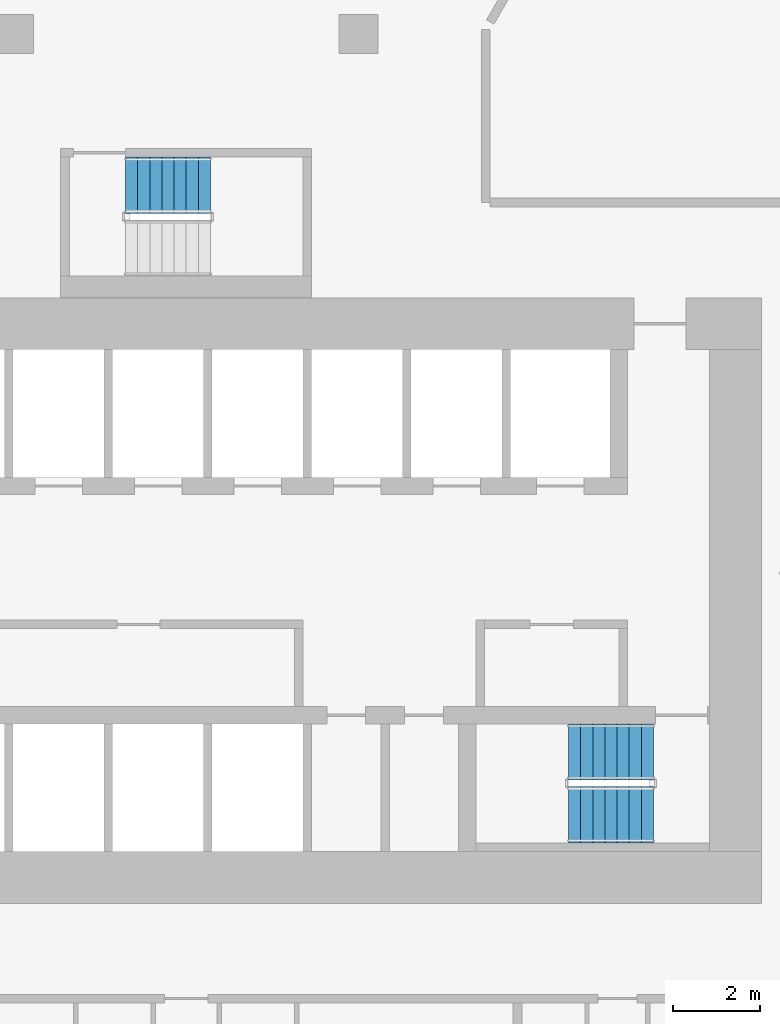
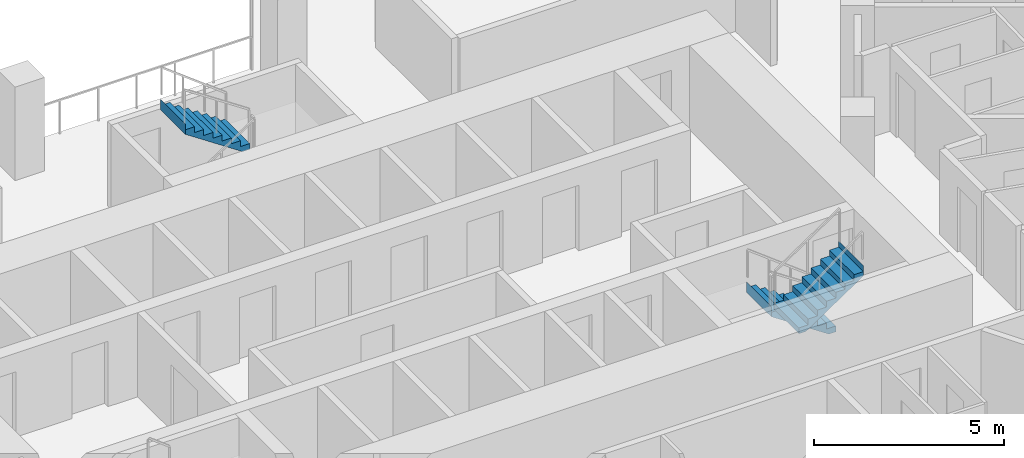
# One storey, part 17 of 21: 3 stair flights, 2 elements without a shape of their own.
"""IFC4 building model written with IfcOpenShell, lengths in metres."""

from ifc_helpers import new_model, si_unit, direction, frame, origin, place, context, subcontext, project, spatial, triangles, material, type_object, element, aggregate, save


model = new_model("IFC4")

# Units and contexts
model_context = context("Model", 3, precision=1e-05, world=origin(), true_north=direction((0.0, 1.0)))
body_context = subcontext(model_context, "Body", "Model", "MODEL_VIEW")
ifc_project = project(units=[si_unit("LENGTHUNIT", "METRE"), si_unit("AREAUNIT", "SQUARE_METRE"), si_unit("VOLUMEUNIT", "CUBIC_METRE"), si_unit("PLANEANGLEUNIT", "RADIAN"), si_unit("MASSUNIT", "GRAM", prefix="KILO")], contexts=[model_context])

# Site, building, storey
site_placement = place(None, origin())
site = spatial("IfcSite", under=ifc_project, at=site_placement, CompositionType="ELEMENT")
building_placement = place(site_placement, origin())
building = spatial("IfcBuilding", under=site, at=building_placement, Name="Beryl Residences", CompositionType="ELEMENT")
storey_placement = place(building_placement, frame((0.0, 0.0, 47.39990234375)))
storey = spatial("IfcBuildingStorey", under=building, at=storey_placement, Name="L14", CompositionType="ELEMENT", Elevation=47.39990234375)

# Stair, stair flights
ifc_material_1 = material(Name="Concrete C40/50", Category="concrete")
stair_type = type_object("IfcStairType", Name="ST1 protected exit stair, half-turn, 1300 mm flights", PredefinedType="HALF_TURN_STAIR", material=ifc_material_1)
stair_1_placement = place(storey_placement, origin())
stair_1 = element("IfcStair", 1, at=stair_1_placement, inside=storey, type_object=stair_type, Name="L14 PROTECTED EXIT STAIR ST-3", PredefinedType="HALF_TURN_STAIR")
ifc_material_2 = material(Name="Concrete C40/50", Category="concrete")
stair_flight_type = type_object("IfcStairFlightType", Name="SF1 stair flight 1300 mm", PredefinedType="STRAIGHT", material=ifc_material_2)
stair_flight_1_placement = place(storey_placement, frame((10.800048828125, -15.5, 0.0), z_axis=(0.0, 0.0, 1.0), x_axis=(-1.0, 0.0, 0.0)))
stair_flight_1 = element("IfcStairFlight", 2, at=stair_flight_1_placement, type_object=stair_flight_type, Name="ST-3 flight 1", NumberOfRisers=8, NumberOfTreads=7, PredefinedType="STRAIGHT", RiserHeight=0.1875, TreadLength=0.28, context=body_context, shape_type="Tessellation", body=[
    triangles([(0.0, -0.64990234375, 0.0), (0.0, -0.324951171875, 0.0), (0.0, 0.0, 0.0), (0.0, 0.324951171875, 0.0), (0.0, 0.64990234375, 0.0), (0.0, -0.64990234375, 0.1875), (0.0, -0.324951171875, 0.1875), (0.0, 0.0, 0.1875), (0.0, 0.324951171875, 0.1875), (0.0, 0.64990234375, 0.1875), (0.280029296875, -0.64990234375, 0.1875), (0.280029296875, -0.324951171875, 0.1875), (0.280029296875, 0.0, 0.1875), (0.280029296875, 0.324951171875, 0.1875), (0.280029296875, 0.64990234375, 0.1875), (0.280029296875, -0.64990234375, 0.375), (0.280029296875, -0.324951171875, 0.375), (0.280029296875, 0.0, 0.375), (0.280029296875, 0.324951171875, 0.375), (0.280029296875, 0.64990234375, 0.375), (0.56005859375, -0.64990234375, 0.375), (0.56005859375, -0.324951171875, 0.375), (0.56005859375, 0.0, 0.375), (0.56005859375, 0.324951171875, 0.375), (0.56005859375, 0.64990234375, 0.375), (0.56005859375, -0.64990234375, 0.5625), (0.56005859375, -0.324951171875, 0.5625), (0.56005859375, 0.0, 0.5625), (0.56005859375, 0.324951171875, 0.5625), (0.56005859375, 0.64990234375, 0.5625), (0.840087890625, -0.64990234375, 0.5625), (0.840087890625, -0.324951171875, 0.5625), (0.840087890625, 0.0, 0.5625), (0.840087890625, 0.324951171875, 0.5625), (0.840087890625, 0.64990234375, 0.5625), (0.840087890625, -0.64990234375, 0.75), (0.840087890625, -0.324951171875, 0.75), (0.840087890625, 0.0, 0.75), (0.840087890625, 0.324951171875, 0.75), (0.840087890625, 0.64990234375, 0.75), (1.1201171875, -0.64990234375, 0.75), (1.1201171875, -0.324951171875, 0.75), (1.1201171875, 0.0, 0.75), (1.1201171875, 0.324951171875, 0.75), (1.1201171875, 0.64990234375, 0.75), (1.1201171875, -0.64990234375, 0.9375), (1.1201171875, -0.324951171875, 0.9375), (1.1201171875, 0.0, 0.9375), (1.1201171875, 0.324951171875, 0.9375), (1.1201171875, 0.64990234375, 0.9375), (1.39990234375, -0.64990234375, 0.9375), (1.39990234375, -0.324951171875, 0.9375), (1.39990234375, 0.0, 0.9375), (1.39990234375, 0.324951171875, 0.9375), (1.39990234375, 0.64990234375, 0.9375), (1.39990234375, -0.64990234375, 1.125), (1.39990234375, -0.324951171875, 1.125), (1.39990234375, 0.0, 1.125), (1.39990234375, 0.324951171875, 1.125), (1.39990234375, 0.64990234375, 1.125), (1.679931640625, -0.64990234375, 1.125), (1.679931640625, -0.324951171875, 1.125), (1.679931640625, 0.0, 1.125), (1.679931640625, 0.324951171875, 1.125), (1.679931640625, 0.64990234375, 1.125), (1.679931640625, -0.64990234375, 1.3125), (1.679931640625, -0.324951171875, 1.3125), (1.679931640625, 0.0, 1.3125), (1.679931640625, 0.324951171875, 1.3125), (1.679931640625, 0.64990234375, 1.3125), (1.9599609375, -0.64990234375, 1.3125), (1.9599609375, -0.324951171875, 1.3125), (1.9599609375, 0.0, 1.3125), (1.9599609375, 0.324951171875, 1.3125), (1.9599609375, 0.64990234375, 1.3125), (1.9599609375, -0.64990234375, 1.5), (1.9599609375, -0.324951171875, 1.5), (1.9599609375, 0.0, 1.5), (1.9599609375, 0.324951171875, 1.5), (1.9599609375, 0.64990234375, 1.5), (1.9609375, -0.64990234375, 1.5), (1.9609375, -0.324951171875, 1.5), (1.9609375, 0.0, 1.5), (1.9609375, 0.324951171875, 1.5), (1.9609375, 0.64990234375, 1.5), (1.9609375, -0.64990234375, 1.16796875), (1.9609375, -0.324951171875, 1.16796875), (1.9609375, 0.0, 1.16796875), (1.9609375, 0.324951171875, 1.16796875), (1.9609375, 0.64990234375, 1.16796875), (0.216796875, -0.64990234375, 0.0), (0.216796875, -0.324951171875, 0.0), (0.216796875, 0.0, 0.0), (0.216796875, 0.324951171875, 0.0), (0.216796875, 0.64990234375, 0.0)], [[1, 6, 7], [1, 7, 2], [2, 7, 8], [2, 8, 3], [3, 8, 9], [3, 9, 4], [4, 9, 10], [4, 10, 5], [6, 11, 12], [6, 12, 7], [7, 12, 13], [7, 13, 8], [8, 13, 14], [8, 14, 9], [9, 14, 15], [9, 15, 10], [11, 16, 17], [11, 17, 12], [12, 17, 18], [12, 18, 13], [13, 18, 19], [13, 19, 14], [14, 19, 20], [14, 20, 15], [16, 21, 22], [16, 22, 17], [17, 22, 23], [17, 23, 18], [18, 23, 24], [18, 24, 19], [19, 24, 25], [19, 25, 20], [21, 26, 27], [21, 27, 22], [22, 27, 28], [22, 28, 23], [23, 28, 29], [23, 29, 24], [24, 29, 30], [24, 30, 25], [26, 31, 32], [26, 32, 27], [27, 32, 33], [27, 33, 28], [28, 33, 34], [28, 34, 29], [29, 34, 35], [29, 35, 30], [31, 36, 37], [31, 37, 32], [32, 37, 38], [32, 38, 33], [33, 38, 39], [33, 39, 34], [34, 39, 40], [34, 40, 35], [36, 41, 42], [36, 42, 37], [37, 42, 43], [37, 43, 38], [38, 43, 44], [38, 44, 39], [39, 44, 45], [39, 45, 40], [41, 46, 47], [41, 47, 42], [42, 47, 48], [42, 48, 43], [43, 48, 49], [43, 49, 44], [44, 49, 50], [44, 50, 45], [46, 51, 52], [46, 52, 47], [47, 52, 53], [47, 53, 48], [48, 53, 54], [48, 54, 49], [49, 54, 55], [49, 55, 50], [51, 56, 57], [51, 57, 52], [52, 57, 58], [52, 58, 53], [53, 58, 59], [53, 59, 54], [54, 59, 60], [54, 60, 55], [56, 61, 62], [56, 62, 57], [57, 62, 63], [57, 63, 58], [58, 63, 64], [58, 64, 59], [59, 64, 65], [59, 65, 60], [61, 66, 67], [61, 67, 62], [62, 67, 68], [62, 68, 63], [63, 68, 69], [63, 69, 64], [64, 69, 70], [64, 70, 65], [66, 71, 72], [66, 72, 67], [67, 72, 73], [67, 73, 68], [68, 73, 74], [68, 74, 69], [69, 74, 75], [69, 75, 70], [71, 76, 77], [71, 77, 72], [72, 77, 78], [72, 78, 73], [73, 78, 79], [73, 79, 74], [74, 79, 80], [74, 80, 75], [76, 81, 82], [76, 82, 77], [77, 82, 83], [77, 83, 78], [78, 83, 84], [78, 84, 79], [79, 84, 85], [79, 85, 80], [81, 86, 87], [81, 87, 82], [82, 87, 88], [82, 88, 83], [83, 88, 89], [83, 89, 84], [84, 89, 90], [84, 90, 85], [86, 91, 92], [86, 92, 87], [87, 92, 93], [87, 93, 88], [88, 93, 94], [88, 94, 89], [89, 94, 95], [89, 95, 90], [91, 1, 2], [91, 2, 92], [92, 2, 3], [92, 3, 93], [93, 3, 4], [93, 4, 94], [94, 4, 5], [94, 5, 95], [1, 91, 86], [5, 90, 95], [86, 81, 76], [90, 80, 85], [86, 76, 71], [90, 75, 80], [86, 71, 66], [90, 70, 75], [86, 66, 61], [90, 65, 70], [61, 56, 51], [65, 55, 60], [86, 61, 51], [90, 55, 65], [51, 46, 41], [55, 45, 50], [86, 51, 41], [90, 45, 55], [41, 36, 31], [45, 35, 40], [86, 41, 31], [90, 35, 45], [31, 26, 21], [35, 25, 30], [86, 31, 21], [90, 25, 35], [21, 16, 11], [25, 15, 20], [86, 21, 11], [90, 15, 25], [1, 86, 11], [5, 15, 90], [11, 6, 1], [15, 5, 10]], closed=True),
])
stair_flight_2_placement = place(storey_placement, frame((8.840087890625, -16.949951171875, 1.5), z_axis=(0.0, 0.0, 1.0), x_axis=(1.0, 0.0, 0.0)))
stair_flight_2 = element("IfcStairFlight", 3, at=stair_flight_2_placement, type_object=stair_flight_type, Name="ST-3 flight 2", NumberOfRisers=8, NumberOfTreads=7, PredefinedType="STRAIGHT", RiserHeight=0.1875, TreadLength=0.28, context=body_context, shape_type="Tessellation", body=[
    triangles([(0.0, -0.64990234375, 0.0), (0.0, -0.324951171875, 0.0), (0.0, 0.0, 0.0), (0.0, 0.324951171875, 0.0), (0.0, 0.64990234375, 0.0), (0.0, -0.64990234375, 0.1875), (0.0, -0.324951171875, 0.1875), (0.0, 0.0, 0.1875), (0.0, 0.324951171875, 0.1875), (0.0, 0.64990234375, 0.1875), (0.280029296875, -0.64990234375, 0.1875), (0.280029296875, -0.324951171875, 0.1875), (0.280029296875, 0.0, 0.1875), (0.280029296875, 0.324951171875, 0.1875), (0.280029296875, 0.64990234375, 0.1875), (0.280029296875, -0.64990234375, 0.375), (0.280029296875, -0.324951171875, 0.375), (0.280029296875, 0.0, 0.375), (0.280029296875, 0.324951171875, 0.375), (0.280029296875, 0.64990234375, 0.375), (0.56005859375, -0.64990234375, 0.375), (0.56005859375, -0.324951171875, 0.375), (0.56005859375, 0.0, 0.375), (0.56005859375, 0.324951171875, 0.375), (0.56005859375, 0.64990234375, 0.375), (0.56005859375, -0.64990234375, 0.5625), (0.56005859375, -0.324951171875, 0.5625), (0.56005859375, 0.0, 0.5625), (0.56005859375, 0.324951171875, 0.5625), (0.56005859375, 0.64990234375, 0.5625), (0.840087890625, -0.64990234375, 0.5625), (0.840087890625, -0.324951171875, 0.5625), (0.840087890625, 0.0, 0.5625), (0.840087890625, 0.324951171875, 0.5625), (0.840087890625, 0.64990234375, 0.5625), (0.840087890625, -0.64990234375, 0.75), (0.840087890625, -0.324951171875, 0.75), (0.840087890625, 0.0, 0.75), (0.840087890625, 0.324951171875, 0.75), (0.840087890625, 0.64990234375, 0.75), (1.1201171875, -0.64990234375, 0.75), (1.1201171875, -0.324951171875, 0.75), (1.1201171875, 0.0, 0.75), (1.1201171875, 0.324951171875, 0.75), (1.1201171875, 0.64990234375, 0.75), (1.1201171875, -0.64990234375, 0.9375), (1.1201171875, -0.324951171875, 0.9375), (1.1201171875, 0.0, 0.9375), (1.1201171875, 0.324951171875, 0.9375), (1.1201171875, 0.64990234375, 0.9375), (1.39990234375, -0.64990234375, 0.9375), (1.39990234375, -0.324951171875, 0.9375), (1.39990234375, 0.0, 0.9375), (1.39990234375, 0.324951171875, 0.9375), (1.39990234375, 0.64990234375, 0.9375), (1.39990234375, -0.64990234375, 1.125), (1.39990234375, -0.324951171875, 1.125), (1.39990234375, 0.0, 1.125), (1.39990234375, 0.324951171875, 1.125), (1.39990234375, 0.64990234375, 1.125), (1.679931640625, -0.64990234375, 1.125), (1.679931640625, -0.324951171875, 1.125), (1.679931640625, 0.0, 1.125), (1.679931640625, 0.324951171875, 1.125), (1.679931640625, 0.64990234375, 1.125), (1.679931640625, -0.64990234375, 1.3125), (1.679931640625, -0.324951171875, 1.3125), (1.679931640625, 0.0, 1.3125), (1.679931640625, 0.324951171875, 1.3125), (1.679931640625, 0.64990234375, 1.3125), (1.9599609375, -0.64990234375, 1.3125), (1.9599609375, -0.324951171875, 1.3125), (1.9599609375, 0.0, 1.3125), (1.9599609375, 0.324951171875, 1.3125), (1.9599609375, 0.64990234375, 1.3125), (1.9599609375, -0.64990234375, 1.5), (1.9599609375, -0.324951171875, 1.5), (1.9599609375, 0.0, 1.5), (1.9599609375, 0.324951171875, 1.5), (1.9599609375, 0.64990234375, 1.5), (1.9609375, -0.64990234375, 1.5), (1.9609375, -0.324951171875, 1.5), (1.9609375, 0.0, 1.5), (1.9609375, 0.324951171875, 1.5), (1.9609375, 0.64990234375, 1.5), (1.9609375, -0.64990234375, 1.16796875), (1.9609375, -0.324951171875, 1.16796875), (1.9609375, 0.0, 1.16796875), (1.9609375, 0.324951171875, 1.16796875), (1.9609375, 0.64990234375, 1.16796875), (0.216796875, -0.64990234375, 0.0), (0.216796875, -0.324951171875, 0.0), (0.216796875, 0.0, 0.0), (0.216796875, 0.324951171875, 0.0), (0.216796875, 0.64990234375, 0.0)], [[1, 6, 7], [1, 7, 2], [2, 7, 8], [2, 8, 3], [3, 8, 9], [3, 9, 4], [4, 9, 10], [4, 10, 5], [6, 11, 12], [6, 12, 7], [7, 12, 13], [7, 13, 8], [8, 13, 14], [8, 14, 9], [9, 14, 15], [9, 15, 10], [11, 16, 17], [11, 17, 12], [12, 17, 18], [12, 18, 13], [13, 18, 19], [13, 19, 14], [14, 19, 20], [14, 20, 15], [16, 21, 22], [16, 22, 17], [17, 22, 23], [17, 23, 18], [18, 23, 24], [18, 24, 19], [19, 24, 25], [19, 25, 20], [21, 26, 27], [21, 27, 22], [22, 27, 28], [22, 28, 23], [23, 28, 29], [23, 29, 24], [24, 29, 30], [24, 30, 25], [26, 31, 32], [26, 32, 27], [27, 32, 33], [27, 33, 28], [28, 33, 34], [28, 34, 29], [29, 34, 35], [29, 35, 30], [31, 36, 37], [31, 37, 32], [32, 37, 38], [32, 38, 33], [33, 38, 39], [33, 39, 34], [34, 39, 40], [34, 40, 35], [36, 41, 42], [36, 42, 37], [37, 42, 43], [37, 43, 38], [38, 43, 44], [38, 44, 39], [39, 44, 45], [39, 45, 40], [41, 46, 47], [41, 47, 42], [42, 47, 48], [42, 48, 43], [43, 48, 49], [43, 49, 44], [44, 49, 50], [44, 50, 45], [46, 51, 52], [46, 52, 47], [47, 52, 53], [47, 53, 48], [48, 53, 54], [48, 54, 49], [49, 54, 55], [49, 55, 50], [51, 56, 57], [51, 57, 52], [52, 57, 58], [52, 58, 53], [53, 58, 59], [53, 59, 54], [54, 59, 60], [54, 60, 55], [56, 61, 62], [56, 62, 57], [57, 62, 63], [57, 63, 58], [58, 63, 64], [58, 64, 59], [59, 64, 65], [59, 65, 60], [61, 66, 67], [61, 67, 62], [62, 67, 68], [62, 68, 63], [63, 68, 69], [63, 69, 64], [64, 69, 70], [64, 70, 65], [66, 71, 72], [66, 72, 67], [67, 72, 73], [67, 73, 68], [68, 73, 74], [68, 74, 69], [69, 74, 75], [69, 75, 70], [71, 76, 77], [71, 77, 72], [72, 77, 78], [72, 78, 73], [73, 78, 79], [73, 79, 74], [74, 79, 80], [74, 80, 75], [76, 81, 82], [76, 82, 77], [77, 82, 83], [77, 83, 78], [78, 83, 84], [78, 84, 79], [79, 84, 85], [79, 85, 80], [81, 86, 87], [81, 87, 82], [82, 87, 88], [82, 88, 83], [83, 88, 89], [83, 89, 84], [84, 89, 90], [84, 90, 85], [86, 91, 92], [86, 92, 87], [87, 92, 93], [87, 93, 88], [88, 93, 94], [88, 94, 89], [89, 94, 95], [89, 95, 90], [91, 1, 2], [91, 2, 92], [92, 2, 3], [92, 3, 93], [93, 3, 4], [93, 4, 94], [94, 4, 5], [94, 5, 95], [1, 91, 86], [5, 90, 95], [86, 81, 76], [90, 80, 85], [86, 76, 71], [90, 75, 80], [86, 71, 66], [90, 70, 75], [86, 66, 61], [90, 65, 70], [61, 56, 51], [65, 55, 60], [86, 61, 51], [90, 55, 65], [51, 46, 41], [55, 45, 50], [86, 51, 41], [90, 45, 55], [41, 36, 31], [45, 35, 40], [86, 41, 31], [90, 35, 45], [31, 26, 21], [35, 25, 30], [86, 31, 21], [90, 25, 35], [21, 16, 11], [25, 15, 20], [86, 21, 11], [90, 15, 25], [1, 86, 11], [5, 15, 90], [11, 6, 1], [15, 5, 10]], closed=True),
])
aggregate(stair_1, [stair_flight_1, stair_flight_2])

# Stair, stair flight
stair_2_placement = place(storey_placement, origin())
stair_2 = element("IfcStair", 4, at=stair_2_placement, inside=storey, type_object=stair_type, Name="L14 PROTECTED EXIT STAIR ST-4", PredefinedType="HALF_TURN_STAIR")
stair_flight_3_placement = place(storey_placement, frame((0.56005859375, -2.39990234375, 1.5), z_axis=(0.0, 0.0, 1.0), x_axis=(-1.0, 0.0, 0.0)))
stair_flight_3 = element("IfcStairFlight", 5, at=stair_flight_3_placement, type_object=stair_flight_type, Name="ST-4 flight 2", NumberOfRisers=8, NumberOfTreads=7, PredefinedType="STRAIGHT", RiserHeight=0.1875, TreadLength=0.28, context=body_context, shape_type="Tessellation", body=[
    triangles([(0.0, -0.64990234375, 0.0), (0.0, -0.324951171875, 0.0), (0.0, 0.0, 0.0), (0.0, 0.324951171875, 0.0), (0.0, 0.64990234375, 0.0), (0.0, -0.64990234375, 0.1875), (0.0, -0.324951171875, 0.1875), (0.0, 0.0, 0.1875), (0.0, 0.324951171875, 0.1875), (0.0, 0.64990234375, 0.1875), (0.280029296875, -0.64990234375, 0.1875), (0.280029296875, -0.324951171875, 0.1875), (0.280029296875, 0.0, 0.1875), (0.280029296875, 0.324951171875, 0.1875), (0.280029296875, 0.64990234375, 0.1875), (0.280029296875, -0.64990234375, 0.375), (0.280029296875, -0.324951171875, 0.375), (0.280029296875, 0.0, 0.375), (0.280029296875, 0.324951171875, 0.375), (0.280029296875, 0.64990234375, 0.375), (0.56005859375, -0.64990234375, 0.375), (0.56005859375, -0.324951171875, 0.375), (0.56005859375, 0.0, 0.375), (0.56005859375, 0.324951171875, 0.375), (0.56005859375, 0.64990234375, 0.375), (0.56005859375, -0.64990234375, 0.5625), (0.56005859375, -0.324951171875, 0.5625), (0.56005859375, 0.0, 0.5625), (0.56005859375, 0.324951171875, 0.5625), (0.56005859375, 0.64990234375, 0.5625), (0.840087890625, -0.64990234375, 0.5625), (0.840087890625, -0.324951171875, 0.5625), (0.840087890625, 0.0, 0.5625), (0.840087890625, 0.324951171875, 0.5625), (0.840087890625, 0.64990234375, 0.5625), (0.840087890625, -0.64990234375, 0.75), (0.840087890625, -0.324951171875, 0.75), (0.840087890625, 0.0, 0.75), (0.840087890625, 0.324951171875, 0.75), (0.840087890625, 0.64990234375, 0.75), (1.1201171875, -0.64990234375, 0.75), (1.1201171875, -0.324951171875, 0.75), (1.1201171875, 0.0, 0.75), (1.1201171875, 0.324951171875, 0.75), (1.1201171875, 0.64990234375, 0.75), (1.1201171875, -0.64990234375, 0.9375), (1.1201171875, -0.324951171875, 0.9375), (1.1201171875, 0.0, 0.9375), (1.1201171875, 0.324951171875, 0.9375), (1.1201171875, 0.64990234375, 0.9375), (1.39990234375, -0.64990234375, 0.9375), (1.39990234375, -0.324951171875, 0.9375), (1.39990234375, 0.0, 0.9375), (1.39990234375, 0.324951171875, 0.9375), (1.39990234375, 0.64990234375, 0.9375), (1.39990234375, -0.64990234375, 1.125), (1.39990234375, -0.324951171875, 1.125), (1.39990234375, 0.0, 1.125), (1.39990234375, 0.324951171875, 1.125), (1.39990234375, 0.64990234375, 1.125), (1.679931640625, -0.64990234375, 1.125), (1.679931640625, -0.324951171875, 1.125), (1.679931640625, 0.0, 1.125), (1.679931640625, 0.324951171875, 1.125), (1.679931640625, 0.64990234375, 1.125), (1.679931640625, -0.64990234375, 1.3125), (1.679931640625, -0.324951171875, 1.3125), (1.679931640625, 0.0, 1.3125), (1.679931640625, 0.324951171875, 1.3125), (1.679931640625, 0.64990234375, 1.3125), (1.9599609375, -0.64990234375, 1.3125), (1.9599609375, -0.324951171875, 1.3125), (1.9599609375, 0.0, 1.3125), (1.9599609375, 0.324951171875, 1.3125), (1.9599609375, 0.64990234375, 1.3125), (1.9599609375, -0.64990234375, 1.5), (1.9599609375, -0.324951171875, 1.5), (1.9599609375, 0.0, 1.5), (1.9599609375, 0.324951171875, 1.5), (1.9599609375, 0.64990234375, 1.5), (1.9609375, -0.64990234375, 1.5), (1.9609375, -0.324951171875, 1.5), (1.9609375, 0.0, 1.5), (1.9609375, 0.324951171875, 1.5), (1.9609375, 0.64990234375, 1.5), (1.9609375, -0.64990234375, 1.16796875), (1.9609375, -0.324951171875, 1.16796875), (1.9609375, 0.0, 1.16796875), (1.9609375, 0.324951171875, 1.16796875), (1.9609375, 0.64990234375, 1.16796875), (0.216796875, -0.64990234375, 0.0), (0.216796875, -0.324951171875, 0.0), (0.216796875, 0.0, 0.0), (0.216796875, 0.324951171875, 0.0), (0.216796875, 0.64990234375, 0.0)], [[1, 6, 7], [1, 7, 2], [2, 7, 8], [2, 8, 3], [3, 8, 9], [3, 9, 4], [4, 9, 10], [4, 10, 5], [6, 11, 12], [6, 12, 7], [7, 12, 13], [7, 13, 8], [8, 13, 14], [8, 14, 9], [9, 14, 15], [9, 15, 10], [11, 16, 17], [11, 17, 12], [12, 17, 18], [12, 18, 13], [13, 18, 19], [13, 19, 14], [14, 19, 20], [14, 20, 15], [16, 21, 22], [16, 22, 17], [17, 22, 23], [17, 23, 18], [18, 23, 24], [18, 24, 19], [19, 24, 25], [19, 25, 20], [21, 26, 27], [21, 27, 22], [22, 27, 28], [22, 28, 23], [23, 28, 29], [23, 29, 24], [24, 29, 30], [24, 30, 25], [26, 31, 32], [26, 32, 27], [27, 32, 33], [27, 33, 28], [28, 33, 34], [28, 34, 29], [29, 34, 35], [29, 35, 30], [31, 36, 37], [31, 37, 32], [32, 37, 38], [32, 38, 33], [33, 38, 39], [33, 39, 34], [34, 39, 40], [34, 40, 35], [36, 41, 42], [36, 42, 37], [37, 42, 43], [37, 43, 38], [38, 43, 44], [38, 44, 39], [39, 44, 45], [39, 45, 40], [41, 46, 47], [41, 47, 42], [42, 47, 48], [42, 48, 43], [43, 48, 49], [43, 49, 44], [44, 49, 50], [44, 50, 45], [46, 51, 52], [46, 52, 47], [47, 52, 53], [47, 53, 48], [48, 53, 54], [48, 54, 49], [49, 54, 55], [49, 55, 50], [51, 56, 57], [51, 57, 52], [52, 57, 58], [52, 58, 53], [53, 58, 59], [53, 59, 54], [54, 59, 60], [54, 60, 55], [56, 61, 62], [56, 62, 57], [57, 62, 63], [57, 63, 58], [58, 63, 64], [58, 64, 59], [59, 64, 65], [59, 65, 60], [61, 66, 67], [61, 67, 62], [62, 67, 68], [62, 68, 63], [63, 68, 69], [63, 69, 64], [64, 69, 70], [64, 70, 65], [66, 71, 72], [66, 72, 67], [67, 72, 73], [67, 73, 68], [68, 73, 74], [68, 74, 69], [69, 74, 75], [69, 75, 70], [71, 76, 77], [71, 77, 72], [72, 77, 78], [72, 78, 73], [73, 78, 79], [73, 79, 74], [74, 79, 80], [74, 80, 75], [76, 81, 82], [76, 82, 77], [77, 82, 83], [77, 83, 78], [78, 83, 84], [78, 84, 79], [79, 84, 85], [79, 85, 80], [81, 86, 87], [81, 87, 82], [82, 87, 88], [82, 88, 83], [83, 88, 89], [83, 89, 84], [84, 89, 90], [84, 90, 85], [86, 91, 92], [86, 92, 87], [87, 92, 93], [87, 93, 88], [88, 93, 94], [88, 94, 89], [89, 94, 95], [89, 95, 90], [91, 1, 2], [91, 2, 92], [92, 2, 3], [92, 3, 93], [93, 3, 4], [93, 4, 94], [94, 4, 5], [94, 5, 95], [1, 91, 86], [5, 90, 95], [86, 81, 76], [90, 80, 85], [86, 76, 71], [90, 75, 80], [86, 71, 66], [90, 70, 75], [86, 66, 61], [90, 65, 70], [61, 56, 51], [65, 55, 60], [86, 61, 51], [90, 55, 65], [51, 46, 41], [55, 45, 50], [86, 51, 41], [90, 45, 55], [41, 36, 31], [45, 35, 40], [86, 41, 31], [90, 35, 45], [31, 26, 21], [35, 25, 30], [86, 31, 21], [90, 25, 35], [21, 16, 11], [25, 15, 20], [86, 21, 11], [90, 15, 25], [1, 86, 11], [5, 15, 90], [11, 6, 1], [15, 5, 10]], closed=True),
])
aggregate(stair_2, [stair_flight_3])

save(model, "model.ifc")
